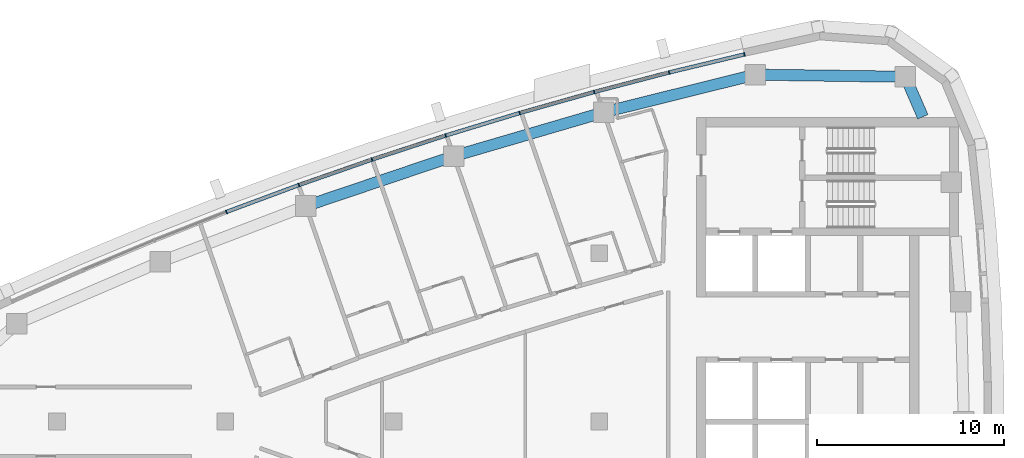
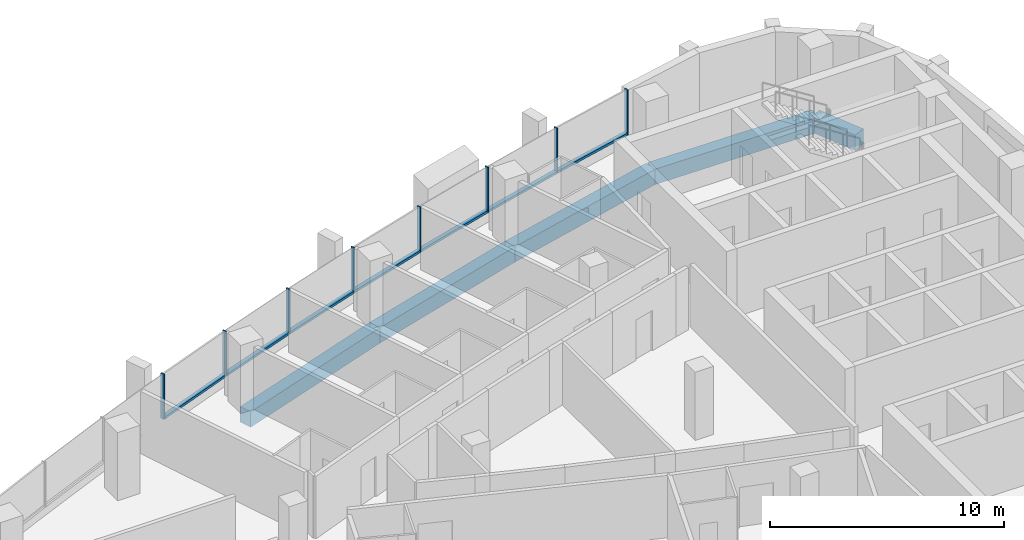
# One storey, part 5 of 14: 15 members, 5 beams, 4 elements without a shape of their own.
"""IFC4 building model written with IfcOpenShell, lengths in metres."""

from ifc_helpers import new_model, si_unit, direction, frame, origin, origin_2d, place, context, subcontext, project, spatial, rectangle, extrude, material, layer, layer_set, material_profile, profile_set, type_object, element, aggregate, save


model = new_model("IFC4")

# Units and contexts
model_context = context("Model", 3, precision=1e-05, world=origin(), true_north=direction((0.0, 1.0)))
body_context = subcontext(model_context, "Body", "Model", "MODEL_VIEW")
ifc_project = project(units=[si_unit("LENGTHUNIT", "METRE"), si_unit("AREAUNIT", "SQUARE_METRE"), si_unit("VOLUMEUNIT", "CUBIC_METRE"), si_unit("PLANEANGLEUNIT", "RADIAN"), si_unit("MASSUNIT", "GRAM", prefix="KILO")], contexts=[model_context])

# Site, building, storey
site_placement = place(None, origin())
site = spatial("IfcSite", under=ifc_project, at=site_placement, CompositionType="ELEMENT")
building_placement = place(site_placement, origin())
building = spatial("IfcBuilding", under=site, at=building_placement, Name="Ostrand Prow Hotel Tower", CompositionType="ELEMENT")
storey_placement = place(building_placement, frame((0.0, 0.0, 289.199951171875)))
storey = spatial("IfcBuildingStorey", under=building, at=storey_placement, Name="L73", CompositionType="ELEMENT", Elevation=289.199951171875)

# Beams
ifc_material_1 = material(Name="Concrete C50/60", Category="concrete")
ifc_material_profile_1 = material_profile(ifc_material_1, rectangle(XDim=0.60009765625, YDim=0.800048828125, at=origin_2d()), Name="RC 600x800")
ifc_profile_set_1 = profile_set([ifc_material_profile_1], Name="Concrete C50/60")
beam_type = type_object("IfcBeamType", Name="Edge beam 600x800 C50/60", PredefinedType="SPANDREL", material=ifc_profile_set_1)
beam_1_placement = place(storey_placement, frame((62.304931640625, 16.300048828125, -0.699951171875), z_axis=(-0.398863844187, 0.91701016014, 0.0), x_axis=(-0.91701016014, -0.398863844187, 0.0)))
element("IfcBeam", 1, at=beam_1_placement, inside=storey, type_object=beam_type, Name="Edge beam B5-NE", PredefinedType="SPANDREL", context=body_context, shape_type="SweptSolid", body=[
    extrude(rectangle(XDim=0.60009765625, YDim=0.800048828125, at=origin_2d()), origin(), (0.0, 0.0, 1.0), 2.333251953125),
])
beam_2_placement = place(storey_placement, frame((61.374267578125, 18.439697265625, -0.699951171875), z_axis=(-0.999900689486, 0.014092947356, 0.0), x_axis=(-0.014092947356, -0.999900689486, 0.0)))
element("IfcBeam", 2, at=beam_2_placement, inside=storey, type_object=beam_type, Name="Edge beam NE-N1", PredefinedType="SPANDREL", context=body_context, shape_type="SweptSolid", body=[
    extrude(rectangle(XDim=0.60009765625, YDim=0.800048828125, at=origin_2d()), origin(), (0.0, 0.0, 1.0), 8.0380859375),
])
for number, where, z_axis, x_axis, name in (
    (3, (53.3369140625, 18.552978515625, -0.699951171875), (-0.970456465292, -0.241276291775, 0.0), (0.241276291775, -0.970456465292, 0.0), "Edge beam N1-N2"),
    (4, (45.234619140625, 16.53857421875, -0.699951171875), (-0.959821966031, -0.280609681809, 0.0), (0.280609681809, -0.959821966031, 0.0), "Edge beam N2-N3"),
    (5, (37.22119140625, 14.19580078125, -0.699951171875), (-0.947575089419, -0.319533174981, 0.0), (0.319533174981, -0.947575089419, 0.0), "Edge beam N3-N4"),
):
    element("IfcBeam", number, at=place(storey_placement, frame(where, z_axis=z_axis, x_axis=x_axis)), inside=storey, type_object=beam_type, Name=name, PredefinedType="SPANDREL", context=body_context, shape_type="SweptSolid", body=[
        extrude(rectangle(XDim=0.60009765625, YDim=0.800048828125, at=origin_2d()), origin(), (0.0, 0.0, 1.0), 8.348876953125),
    ])

# Curtain wall, members
ifc_material_2 = material(Name="Insulated glass in bronze anodised frame", Category="glass")
ifc_layer = layer(ifc_material_2, 0.199951171875)
ifc_layer_set = layer_set([ifc_layer], Name="Insulated glass in bronze anodised frame")
curtain_wall_type = type_object("IfcCurtainWallType", Name="Strip curtain wall, fritted glass over bronze spandrel", PredefinedType="NOTDEFINED", material=ifc_layer_set)
curtain_wall_1_placement = place(storey_placement, origin())
curtain_wall_1 = element("IfcCurtainWall", 6, at=curtain_wall_1_placement, inside=storey, type_object=curtain_wall_type, Name="CW1 run CWN1", PredefinedType="NOTDEFINED")
ifc_material_3 = material(Name="Bronze anodised aluminium", Category="aluminium")
ifc_material_profile_2 = material_profile(ifc_material_3, rectangle(XDim=0.199951171875, YDim=0.06005859375, at=origin_2d()), Name="Mullion 60x200 bronze anodised aluminium")
ifc_profile_set_2 = profile_set([ifc_material_profile_2], Name="Bronze anodised aluminium")
member_type_1 = type_object("IfcMemberType", Name="Mullion 60x200 bronze anodised aluminium", PredefinedType="MULLION", material=ifc_profile_set_2)
member_1_placement = place(storey_placement, frame((52.7607421875, 19.634521484375, 0.900146484375), z_axis=(0.0, 0.0, 1.0), x_axis=(0.232746096028, -0.972537533869, 0.0)))
member_1 = element("IfcMember", 7, at=member_1_placement, type_object=member_type_1, Name="CW1 mullion 1", PredefinedType="MULLION", context=body_context, shape_type="SweptSolid", body=[
    extrude(rectangle(XDim=0.199951171875, YDim=0.06005859375, at=origin_2d()), origin(), (0.0, 0.0, 1.0), 2.349853515625),
])
member_2_placement = place(storey_placement, frame((48.734619140625, 18.6708984375, 0.900146484375), z_axis=(0.0, 0.0, 1.0), x_axis=(0.252248384867, -0.967662519855, 0.0)))
member_2 = element("IfcMember", 8, at=member_2_placement, type_object=member_type_1, Name="CW1 mullion 2", PredefinedType="MULLION", context=body_context, shape_type="SweptSolid", body=[
    extrude(rectangle(XDim=0.199951171875, YDim=0.06005859375, at=origin_2d()), origin(), (0.0, 0.0, 1.0), 2.349853515625),
])
member_3_placement = place(storey_placement, frame((44.728515625, 17.626708984375, 0.900146484375), z_axis=(0.0, 0.0, 1.0), x_axis=(0.252248384867, -0.967662519855, 0.0)))
member_3 = element("IfcMember", 9, at=member_3_placement, type_object=member_type_1, Name="CW1 mullion 3", PredefinedType="MULLION", context=body_context, shape_type="SweptSolid", body=[
    extrude(rectangle(XDim=0.199951171875, YDim=0.06005859375, at=origin_2d()), origin(), (0.0, 0.0, 1.0), 2.349853515625),
])

curtain_wall_2_placement = place(storey_placement, origin())
curtain_wall_2 = element("IfcCurtainWall", 10, at=curtain_wall_2_placement, inside=storey, type_object=curtain_wall_type, Name="CW1 run CWN2", PredefinedType="NOTDEFINED")
member_4_placement = place(storey_placement, frame((40.744384765625, 16.502197265625, 0.900146484375), z_axis=(0.0, 0.0, 1.0), x_axis=(0.290937648411, -0.956742015769, 0.0)))
member_4 = element("IfcMember", 11, at=member_4_placement, type_object=member_type_1, Name="CW1 mullion 2", PredefinedType="MULLION", context=body_context, shape_type="SweptSolid", body=[
    extrude(rectangle(XDim=0.199951171875, YDim=0.06005859375, at=origin_2d()), origin(), (0.0, 0.0, 1.0), 2.349853515625),
])
member_5_placement = place(storey_placement, frame((36.78369140625, 15.297607421875, 0.900146484375), z_axis=(0.0, 0.0, 1.0), x_axis=(0.290937648411, -0.956742015769, 0.0)))
member_5 = element("IfcMember", 12, at=member_5_placement, type_object=member_type_1, Name="CW1 mullion 3", PredefinedType="MULLION", context=body_context, shape_type="SweptSolid", body=[
    extrude(rectangle(XDim=0.199951171875, YDim=0.06005859375, at=origin_2d()), origin(), (0.0, 0.0, 1.0), 2.349853515625),
])

curtain_wall_3_placement = place(storey_placement, origin())
curtain_wall_3 = element("IfcCurtainWall", 13, at=curtain_wall_3_placement, inside=storey, type_object=curtain_wall_type, Name="CW1 run CWN3", PredefinedType="NOTDEFINED")
member_6_placement = place(storey_placement, frame((32.84814453125, 14.013916015625, 0.900146484375), z_axis=(0.0, 0.0, 1.0), x_axis=(0.329158370885, -0.944274730614, 0.0)))
member_6 = element("IfcMember", 14, at=member_6_placement, type_object=member_type_1, Name="CW1 mullion 2", PredefinedType="MULLION", context=body_context, shape_type="SweptSolid", body=[
    extrude(rectangle(XDim=0.199951171875, YDim=0.06005859375, at=origin_2d()), origin(), (0.0, 0.0, 1.0), 2.349853515625),
])
member_7_placement = place(storey_placement, frame((28.93896484375, 12.6513671875, 0.900146484375), z_axis=(0.0, 0.0, 1.0), x_axis=(0.329158370885, -0.944274730614, 0.0)))
member_7 = element("IfcMember", 15, at=member_7_placement, type_object=member_type_1, Name="CW1 mullion 3", PredefinedType="MULLION", context=body_context, shape_type="SweptSolid", body=[
    extrude(rectangle(XDim=0.199951171875, YDim=0.06005859375, at=origin_2d()), origin(), (0.0, 0.0, 1.0), 2.349853515625),
])

# Curtain wall, member
curtain_wall_4_placement = place(storey_placement, origin())
curtain_wall_4 = element("IfcCurtainWall", 16, at=curtain_wall_4_placement, inside=storey, type_object=curtain_wall_type, Name="CW1 run CWN4", PredefinedType="NOTDEFINED")
member_8_placement = place(storey_placement, frame((25.05810546875, 11.210205078125, 0.900146484375), z_axis=(0.0, 0.0, 1.0), x_axis=(0.366845465248, -0.930281895249, 0.0)))
member_8 = element("IfcMember", 17, at=member_8_placement, type_object=member_type_1, Name="CW1 mullion 2", PredefinedType="MULLION", context=body_context, shape_type="SweptSolid", body=[
    extrude(rectangle(XDim=0.199951171875, YDim=0.06005859375, at=origin_2d()), origin(), (0.0, 0.0, 1.0), 2.349853515625),
])

# Member
ifc_material_4 = material(Name="Bronze anodised aluminium", Category="aluminium")
ifc_material_profile_3 = material_profile(ifc_material_4, rectangle(XDim=0.199951171875, YDim=0.1201171875, at=origin_2d()), Name="Transom 120x200 bronze anodised aluminium")
ifc_profile_set_3 = profile_set([ifc_material_profile_3], Name="Bronze anodised aluminium")
member_type_2 = type_object("IfcMemberType", Name="Transom 120x200 bronze anodised aluminium", PredefinedType="USERDEFINED", material=ifc_profile_set_3)
member_9_placement = place(storey_placement, frame((52.7314453125, 19.62744140625, 0.9599609375), z_axis=(-0.972542980558, -0.232723335675, 0.0), x_axis=(0.232723335675, -0.972542980558, 0.0)))
member_9 = element("IfcMember", 18, at=member_9_placement, type_object=member_type_2, Name="CW1 transom 1.1", ObjectType="TRANSOM", PredefinedType="USERDEFINED", context=body_context, shape_type="SweptSolid", body=[
    extrude(rectangle(XDim=0.199951171875, YDim=0.1201171875, at=origin_2d()), origin(), (0.0, 0.0, 1.0), 4.079833984375),
])

member_10_placement = place(storey_placement, frame((48.70556640625, 18.663330078125, 0.9599609375), z_axis=(-0.967664917891, -0.252239185461, 0.0), x_axis=(0.252239185461, -0.967664917891, 0.0)))
member_10 = element("IfcMember", 19, at=member_10_placement, type_object=member_type_2, Name="CW1 transom 2.1", ObjectType="TRANSOM", PredefinedType="USERDEFINED", context=body_context, shape_type="SweptSolid", body=[
    extrude(rectangle(XDim=0.199951171875, YDim=0.1201171875, at=origin_2d()), origin(), (0.0, 0.0, 1.0), 4.07958984375),
])

aggregate(curtain_wall_1, [member_1, member_2, member_3, member_9, member_10])

member_11_placement = place(storey_placement, frame((44.69970703125, 17.61865234375, 0.9599609375), z_axis=(-0.962386308628, -0.271684730828, 0.0), x_axis=(0.271684730828, -0.962386308628, 0.0)))
member_11 = element("IfcMember", 20, at=member_11_placement, type_object=member_type_2, Name="CW1 transom 1.1", ObjectType="TRANSOM", PredefinedType="USERDEFINED", context=body_context, shape_type="SweptSolid", body=[
    extrude(rectangle(XDim=0.199951171875, YDim=0.1201171875, at=origin_2d()), origin(), (0.0, 0.0, 1.0), 4.079833984375),
])

member_12_placement = place(storey_placement, frame((40.7158203125, 16.493408203125, 0.9599609375), z_axis=(-0.956739081124, -0.290947298751, 0.0), x_axis=(0.290947298751, -0.956739081124, 0.0)))
member_12 = element("IfcMember", 21, at=member_12_placement, type_object=member_type_2, Name="CW1 transom 2.1", ObjectType="TRANSOM", PredefinedType="USERDEFINED", context=body_context, shape_type="SweptSolid", body=[
    extrude(rectangle(XDim=0.199951171875, YDim=0.1201171875, at=origin_2d()), origin(), (0.0, 0.0, 1.0), 4.079833984375),
])

aggregate(curtain_wall_2, [member_4, member_5, member_11, member_12])

member_13_placement = place(storey_placement, frame((36.75537109375, 15.288330078125, 0.9599609375), z_axis=(-0.950704145978, -0.310099382165, 0.0), x_axis=(0.310099382165, -0.950704145978, 0.0)))
member_13 = element("IfcMember", 22, at=member_13_placement, type_object=member_type_2, Name="CW1 transom 1.1", ObjectType="TRANSOM", PredefinedType="USERDEFINED", context=body_context, shape_type="SweptSolid", body=[
    extrude(rectangle(XDim=0.199951171875, YDim=0.1201171875, at=origin_2d()), origin(), (0.0, 0.0, 1.0), 4.079833984375),
])

member_14_placement = place(storey_placement, frame((32.81982421875, 14.004150390625, 0.9599609375), z_axis=(-0.944268108385, -0.329177367822, 0.0), x_axis=(0.329177367822, -0.944268108385, 0.0)))
member_14 = element("IfcMember", 23, at=member_14_placement, type_object=member_type_2, Name="CW1 transom 2.1", ObjectType="TRANSOM", PredefinedType="USERDEFINED", context=body_context, shape_type="SweptSolid", body=[
    extrude(rectangle(XDim=0.199951171875, YDim=0.1201171875, at=origin_2d()), origin(), (0.0, 0.0, 1.0), 4.079833984375),
])

aggregate(curtain_wall_3, [member_6, member_7, member_13, member_14])

member_15_placement = place(storey_placement, frame((28.910888671875, 12.640869140625, 0.9599609375), z_axis=(-0.937460424566, -0.348091873465, 0.0), x_axis=(0.348091873465, -0.937460424566, 0.0)))
member_15 = element("IfcMember", 24, at=member_15_placement, type_object=member_type_2, Name="CW1 transom 1.1", ObjectType="TRANSOM", PredefinedType="USERDEFINED", context=body_context, shape_type="SweptSolid", body=[
    extrude(rectangle(XDim=0.199951171875, YDim=0.1201171875, at=origin_2d()), origin(), (0.0, 0.0, 1.0), 4.079833984375),
])

aggregate(curtain_wall_4, [member_8, member_15])

save(model, "model.ifc")
